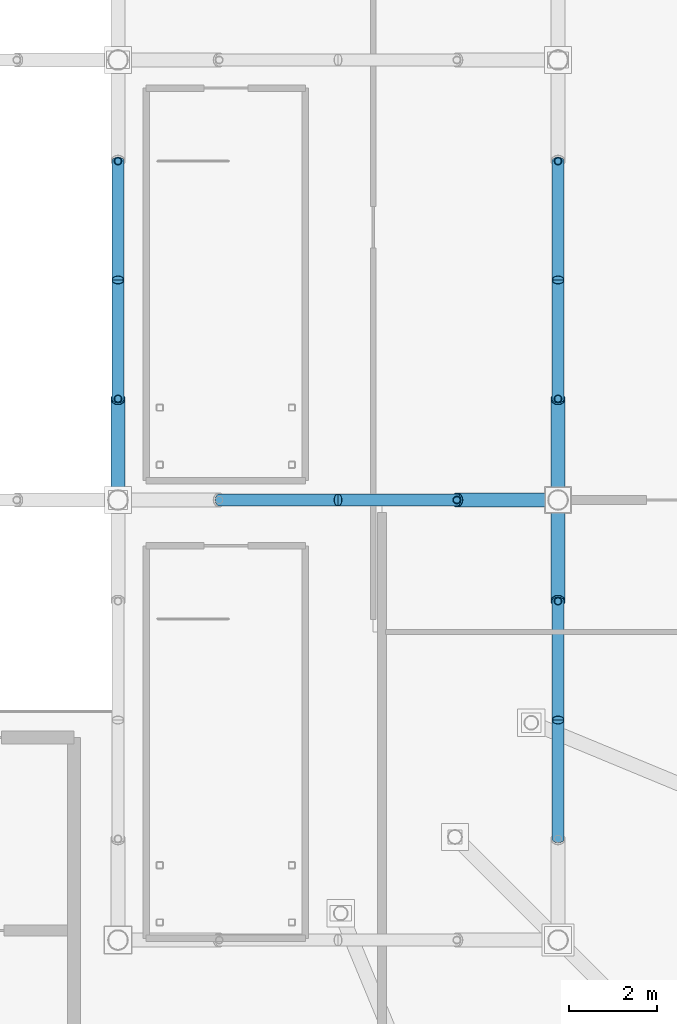
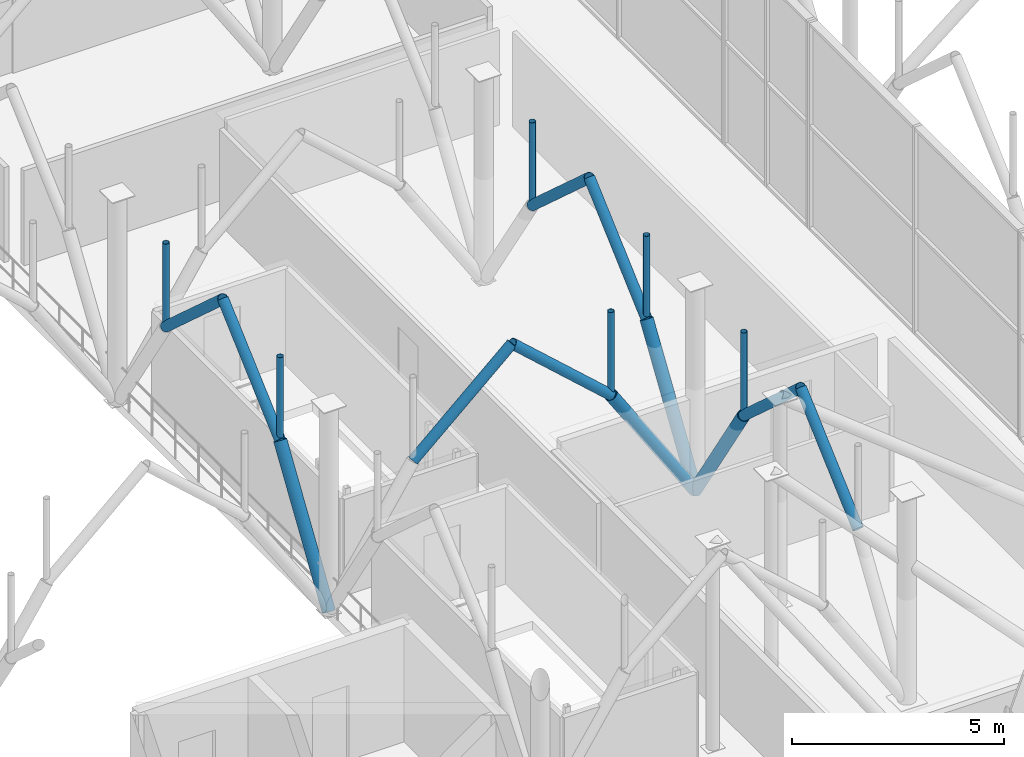
# One storey, part 68 of 109: 18 members.
"""IFC4 building model written with IfcOpenShell, lengths in metres."""

import ifcopenshell
import ifcopenshell.guid

model = None  # the IFC model being written
_history = None  # IfcOwnerHistory: only IFC2X3 demands one
_inside = {}  # id of a spatial element -> (the spatial element, [elements in it])
_under = {}  # id of a project, library or spatial element -> (it, [spatial elements below it])
_declared = {}  # id of a project -> (the project, [libraries it declares])
_typed = {}  # id of a type object -> (the type object, [elements of that type])
_made_of = {}  # id of a material, layer set ... -> (it, [elements and type objects made of it])


def new_model(schema):
    """Start an empty IFC model of exactly this schema.

    Asked for "IFC4X3", IfcOpenShell would pick the latest addendum, in which some entities
    have other attributes; the version numbers below select the first issue.
    IFC2X3 requires an IfcOwnerHistory on every rooted entity: one is made here for all.
    """
    global model, _history
    if schema == "IFC4X3":
        model = ifcopenshell.file(schema_version=(4, 3, 0, 0))
    else:
        model = ifcopenshell.file(schema=schema)
    _inside.clear()
    _under.clear()
    _declared.clear()
    _typed.clear()
    _made_of.clear()
    _history = None
    if model.schema == "IFC2X3":
        org = make("IfcOrganization", Name="unknown")
        user = make(
            "IfcPersonAndOrganization",
            ThePerson=make("IfcPerson", FamilyName="unknown"),
            TheOrganization=org,
        )
        app = make(
            "IfcApplication",
            ApplicationDeveloper=org,
            Version="unknown",
            ApplicationFullName="unknown",
            ApplicationIdentifier="unknown",
        )
        _history = make(
            "IfcOwnerHistory",
            OwningUser=user,
            OwningApplication=app,
            ChangeAction="ADDED",
            CreationDate=0,
        )
    return model


def make(cls, **values):
    """One entity of the class cls with the attributes given. An attribute that is None is left unset."""
    return model.create_entity(
        cls, **{name: value for name, value in values.items() if value is not None}
    )


def rooted(cls, **values):
    """An entity with a GlobalId (a new one), such as an element, a storey or a relation."""
    return make(cls, GlobalId=ifcopenshell.guid.new(), OwnerHistory=_history, **values)


def si_unit(unit_type, name, prefix=None):
    """IfcSIUnit, for example si_unit("LENGTHUNIT", "METRE", prefix="MILLI")."""
    return make("IfcSIUnit", UnitType=unit_type, Prefix=prefix, Name=name)


def derived_unit(unit_type, elements):
    """IfcDerivedUnit: a product of units, each with its exponent."""
    return make(
        "IfcDerivedUnit",
        Elements=[
            make("IfcDerivedUnitElement", Unit=unit, Exponent=power)
            for unit, power in elements
        ],
        UnitType=unit_type,
    )


def assignment(units):
    """IfcUnitAssignment: the units of a project."""
    return None if units is None else make("IfcUnitAssignment", Units=units)


def point(xyz):
    """IfcCartesianPoint."""
    return None if xyz is None else make("IfcCartesianPoint", Coordinates=xyz)


def direction(xyz):
    """IfcDirection."""
    return None if xyz is None else make("IfcDirection", DirectionRatios=xyz)


def frame(location, z_axis=None, x_axis=None):
    """IfcAxis2Placement3D, a coordinate frame: its origin and axes. An axis left out is left unset."""
    return make(
        "IfcAxis2Placement3D",
        Location=point(location),
        Axis=direction(z_axis),
        RefDirection=direction(x_axis),
    )


def frame_2d(location, x_axis=None):
    """IfcAxis2Placement2D, a coordinate frame in the plane: its origin and x axis."""
    return make(
        "IfcAxis2Placement2D", Location=point(location), RefDirection=direction(x_axis)
    )


def origin():
    """The frame at (0, 0, 0) with its axes left unset."""
    return frame((0.0, 0.0, 0.0))


def origin_2d_with_axis():
    """The frame at (0, 0) in the plane with the x axis (1, 0) written out."""
    return frame_2d((0.0, 0.0), x_axis=(1.0, 0.0))


def place(relative_to, where):
    """IfcLocalPlacement: puts the frame where relative to a parent placement (None: the world)."""
    return make(
        "IfcLocalPlacement", PlacementRelTo=relative_to, RelativePlacement=where
    )


def context(
    kind, dimensions, precision=None, world=None, true_north=None, identifier=None
):
    """IfcGeometricRepresentationContext, for example the 3D "Model" context."""
    return make(
        "IfcGeometricRepresentationContext",
        ContextIdentifier=identifier,
        ContextType=kind,
        CoordinateSpaceDimension=dimensions,
        Precision=precision,
        WorldCoordinateSystem=world,
        TrueNorth=true_north,
    )


def subcontext(parent, identifier, kind, view, scale=None):
    """IfcGeometricRepresentationSubContext, for example "Body" below "Model"."""
    return make(
        "IfcGeometricRepresentationSubContext",
        ContextIdentifier=identifier,
        ContextType=kind,
        ParentContext=parent,
        TargetScale=scale,
        TargetView=view,
    )


def project(units=None, contexts=None):
    """IfcProject with its units and contexts."""
    return rooted(
        "IfcProject",
        Name="project",
        RepresentationContexts=contexts,
        UnitsInContext=assignment(units),
    )


def spatial(cls, under=None, at=None, **own):
    """A site, building, storey or space (cls), placed at a placement, below another one or the project."""
    s = rooted(cls, ObjectPlacement=at, **own)
    if under is not None:
        _under.setdefault(under.id(), (under, []))[1].append(s)
    return s


def profile(cls, at=None, kind="AREA", **sizes):
    """A parametric profile (cls). Its sizes go by their IFC names, for example OverallWidth=200.0."""
    return make(cls, ProfileType=kind, Position=at, **sizes)


def hollow_circle(**sizes):
    """IfcCircleHollowProfileDef."""
    return profile("IfcCircleHollowProfileDef", **sizes)


def extrude(swept, where, along, depth):
    """IfcExtrudedAreaSolid: the profile swept, set in the frame where, extruded along a direction by depth."""
    return make(
        "IfcExtrudedAreaSolid",
        SweptArea=swept,
        Position=where,
        ExtrudedDirection=direction(along),
        Depth=depth,
    )


def shape(context_of_items, identifier, shape_type, items):
    """IfcShapeRepresentation: the items that make up one representation, for example the "Body"."""
    return make(
        "IfcShapeRepresentation",
        ContextOfItems=context_of_items,
        RepresentationIdentifier=identifier,
        RepresentationType=shape_type,
        Items=items,
    )


def material(Name=None, Category=None):
    """IfcMaterial."""
    return make("IfcMaterial", Name=Name, Category=Category)


def material_profile(
    of_material, cross_section, Name=None, Category=None, Priority=None
):
    """IfcMaterialProfile: a cross section and its material."""
    return make(
        "IfcMaterialProfile",
        Name=Name,
        Material=of_material,
        Profile=cross_section,
        Priority=Priority,
        Category=Category,
    )


def profile_set(profiles, Name=None, composite=None):
    """IfcMaterialProfileSet."""
    return make(
        "IfcMaterialProfileSet",
        Name=Name,
        MaterialProfiles=profiles,
        CompositeProfile=composite,
    )


def made_of(thing, what):
    """Note that an element or type object is made of a material, layer set ...; save() writes the relation."""
    if what is not None:
        _made_of.setdefault(what.id(), (what, []))[1].append(thing)
    return thing


def type_object(cls, material=None, **own):
    """A type object (cls), such as IfcWallType, which elements share."""
    return made_of(rooted(cls, **own), material)


def element(
    cls,
    number,
    at=None,
    inside=None,
    cuts=None,
    type_object=None,
    material=None,
    context=None,
    identifier="Body",
    shape_type=None,
    held_by="IfcProductDefinitionShape",
    body=None,
    shapes=None,
    **own,
):
    """One element of the class cls, such as IfcWall. Its Tag is "e" and its number.

    at: its placement. inside: the storey or other place that contains it. cuts: it is an
    opening in that element (IfcRelVoidsElement). A single representation is given by context,
    identifier, shape_type and body (its items); several are given by shapes. held_by: the class
    of the entity that holds the representations. save() writes the other relations.
    """
    e = rooted(cls, Tag="e%d" % number, ObjectPlacement=at, **own)
    if body is not None:
        shapes = [shape(context, identifier, shape_type, body)]
    if shapes is not None:
        e.Representation = make(held_by, Representations=shapes)
    if inside is not None:
        _inside.setdefault(inside.id(), (inside, []))[1].append(e)
    if cuts is not None:
        rooted(
            "IfcRelVoidsElement", RelatingBuildingElement=cuts, RelatedOpeningElement=e
        )
    if type_object is not None:
        _typed.setdefault(type_object.id(), (type_object, []))[1].append(e)
    return made_of(e, material)


def aggregate(whole, parts):
    """IfcRelAggregates: a whole, such as a stair, and the parts it consists of."""
    return rooted("IfcRelAggregates", RelatingObject=whole, RelatedObjects=parts)


def save(model, path):
    """Write the relations noted so far, then the file.

    IfcRelAggregates (storeys below a building ...), IfcRelContainedInSpatialStructure (elements
    in a storey), IfcRelDefinesByType, IfcRelAssociatesMaterial and IfcRelDeclares: one each for
    every whole, place, type object, material and project.
    """
    for whole, parts in _under.values():
        aggregate(whole, parts)
    for where, things in _inside.values():
        rooted(
            "IfcRelContainedInSpatialStructure",
            RelatedElements=things,
            RelatingStructure=where,
        )
    for kind, things in _typed.values():
        rooted("IfcRelDefinesByType", RelatedObjects=things, RelatingType=kind)
    for what, things in _made_of.values():
        rooted("IfcRelAssociatesMaterial", RelatedObjects=things, RelatingMaterial=what)
    for by, libraries in _declared.values():
        rooted("IfcRelDeclares", RelatingContext=by, RelatedDefinitions=libraries)
    model.write(path)


model = new_model("IFC4")

# Units and contexts
model_context = context("Model", 3, precision=1e-05, world=origin(), true_north=direction((0.0, 1.0)))
body_context = subcontext(model_context, "Body", "Model", "MODEL_VIEW")
ifc_project = project(units=[si_unit("LENGTHUNIT", "METRE"), si_unit("AREAUNIT", "SQUARE_METRE"), si_unit("VOLUMEUNIT", "CUBIC_METRE"), si_unit("PLANEANGLEUNIT", "RADIAN"), si_unit("MASSUNIT", "GRAM", prefix="KILO"), derived_unit("THERMALTRANSMITTANCEUNIT", [(si_unit("POWERUNIT", "WATT"), 1), (si_unit("LENGTHUNIT", "METRE"), -2), (si_unit("THERMODYNAMICTEMPERATUREUNIT", "KELVIN"), -1)])], contexts=[model_context])

# Site, building, storey
site_placement = place(None, origin())
site = spatial("IfcSite", under=ifc_project, at=site_placement, CompositionType="ELEMENT")
building_placement = place(site_placement, origin())
building = spatial("IfcBuilding", under=site, at=building_placement, Name="Cinnabar Yard Market Hall", CompositionType="ELEMENT")
storey_placement = place(building_placement, frame((0.0, 0.0, 8.39990234375)))
storey = spatial("IfcBuildingStorey", under=building, at=storey_placement, Name="L02", CompositionType="ELEMENT", Elevation=8.39990234375)

# Members
ifc_material_1 = material(Name="Spotted-gum glulam-clad steel Grade 350 (350 MPa)", Category="steel")
ifc_material_profile_1 = material_profile(ifc_material_1, hollow_circle(Radius=0.136474609375, WallThickness=0.00927734375, at=origin_2d_with_axis()), Name="273.1x9.3CHS")
ifc_profile_set_1 = profile_set([ifc_material_profile_1], Name="Spotted-gum glulam-clad steel Grade 350 (350 MPa)")
member_type_1 = type_object("IfcMemberType", Name="MB-AR01", PredefinedType="USERDEFINED", material=ifc_profile_set_1)
for number, where, z_axis, x_axis, name in (
    (1, (148.300048828125, 34.0, 3.550048828125), (0.743297488271, 0.0, 0.668961018244), (0.0, 1.0, 0.0), "Pointed Arch Rib 0118"),
    (2, (146.0, 36.300048828125, 3.550048828125), (0.0, 0.743297488271, 0.668961018244), (-1.0, 0.0, 0.0), "Pointed Arch Rib 0120"),
    (3, (146.0, 41.699951171875, 3.550048828125), (0.0, -0.743297488271, 0.668961018244), (1.0, 0.0, 0.0), "Pointed Arch Rib 0125"),
    (4, (156.0, 26.300048828125, 3.550048828125), (0.0, 0.743297488271, 0.668961018244), (-1.0, 0.0, 0.0), "Pointed Arch Rib 0133"),
    (5, (153.699951171875, 34.0, 3.550048828125), (-0.743297488271, 0.0, 0.668961018244), (0.0, -1.0, 0.0), "Pointed Arch Rib 0134"),
    (6, (156.0, 36.300048828125, 3.550048828125), (0.0, 0.743297488271, 0.668961018244), (-1.0, 0.0, 0.0), "Pointed Arch Rib 0135"),
    (7, (156.0, 31.699951171875, 3.550048828125), (0.0, -0.743297488271, 0.668961018244), (1.0, 0.0, 0.0), "Pointed Arch Rib 0136"),
    (8, (156.0, 41.699951171875, 3.550048828125), (0.0, -0.743297488271, 0.668961018244), (1.0, 0.0, 0.0), "Pointed Arch Rib 0139"),
):
    element("IfcMember", number, at=place(storey_placement, frame(where, z_axis=z_axis, x_axis=x_axis)), inside=storey, type_object=member_type_1, Name=name, ObjectType="ARCH RIB", PredefinedType="USERDEFINED", context=body_context, shape_type="SweptSolid", body=[
        extrude(hollow_circle(Radius=0.136474609375, WallThickness=0.00927734375, at=origin_2d_with_axis()), origin(), (0.0, 0.0, 1.0), 3.63232421875),
    ])
ifc_material_profile_2 = material_profile(ifc_material_1, hollow_circle(Radius=0.161865234375, WallThickness=0.009521484375, at=origin_2d_with_axis()), Name="323.9x9.5CHS")
ifc_profile_set_2 = profile_set([ifc_material_profile_2], Name="Spotted-gum glulam-clad steel Grade 350 (350 MPa)")
member_type_2 = type_object("IfcMemberType", Name="MB-ST01", PredefinedType="STRUT", material=ifc_profile_set_2)
for number, where, z_axis, x_axis, name in (
    (9, (146.0, 34.0, 0.0), (0.0, 0.543744165176, 0.839251024925), (-1.0, 0.0, 0.0), "Curved Branch Arm Lower 0120"),
    (10, (156.0, 34.0, 0.0), (-0.543744165176, 0.0, 0.839251024925), (0.0, -1.0, 0.0), "Curved Branch Arm Lower 0134"),
    (11, (156.0, 34.0, 0.0), (0.0, 0.543744165176, 0.839251024925), (-1.0, 0.0, 0.0), "Curved Branch Arm Lower 0135"),
    (12, (156.0, 34.0, 0.0), (0.0, -0.543744165176, 0.839251024925), (1.0, 0.0, 0.0), "Curved Branch Arm Lower 0136"),
):
    element("IfcMember", number, at=place(storey_placement, frame(where, z_axis=z_axis, x_axis=x_axis)), inside=storey, type_object=member_type_2, Name=name, PredefinedType="STRUT", context=body_context, shape_type="SweptSolid", body=[
        extrude(hollow_circle(Radius=0.161865234375, WallThickness=0.009521484375, at=origin_2d_with_axis()), origin(), (0.0, 0.0, 1.0), 4.22998046875),
    ])
ifc_material_2 = material(Name="Cold-formed steel C350L0", Category="steel")
ifc_material_profile_3 = material_profile(ifc_material_2, hollow_circle(Radius=0.084228515625, WallThickness=0.00634765625, at=origin_2d_with_axis()), Name="168.3x6.4CHS")
ifc_profile_set_3 = profile_set([ifc_material_profile_3], Name="Cold-formed steel C350L0")
member_type_3 = type_object("IfcMemberType", Name="MB-WB01", PredefinedType="STRUT", material=ifc_profile_set_3)
for number, where, z_axis, x_axis, name in (
    (13, (146.0, 36.300048828125, 3.550048828125), (0.0, 0.0, 1.0), (1.0, 0.0, 0.0), "Arch Spandrel Post 0120"),
    (14, (146.0, 41.699951171875, 3.550048828125), (0.0, 0.0, 1.0), (1.0, 0.0, 0.0), "Arch Spandrel Post 0125"),
    (15, (153.699951171875, 34.0, 3.550048828125), (0.0, 0.0, 1.0), (1.0, 0.0, 0.0), "Arch Spandrel Post 0134"),
    (16, (156.0, 36.300048828125, 3.550048828125), (0.0, 0.0, 1.0), (1.0, 0.0, 0.0), "Arch Spandrel Post 0135"),
    (17, (156.0, 31.699951171875, 3.550048828125), (0.0, 0.0, 1.0), (1.0, 0.0, 0.0), "Arch Spandrel Post 0136"),
    (18, (156.0, 41.699951171875, 3.550048828125), (0.0, 0.0, 1.0), (1.0, 0.0, 0.0), "Arch Spandrel Post 0139"),
):
    element("IfcMember", number, at=place(storey_placement, frame(where, z_axis=z_axis, x_axis=x_axis)), inside=storey, type_object=member_type_3, Name=name, PredefinedType="STRUT", context=body_context, shape_type="SweptSolid", body=[
        extrude(hollow_circle(Radius=0.084228515625, WallThickness=0.00634765625, at=origin_2d_with_axis()), origin(), (0.0, 0.0, 1.0), 2.429931640625),
    ])

save(model, "model.ifc")
